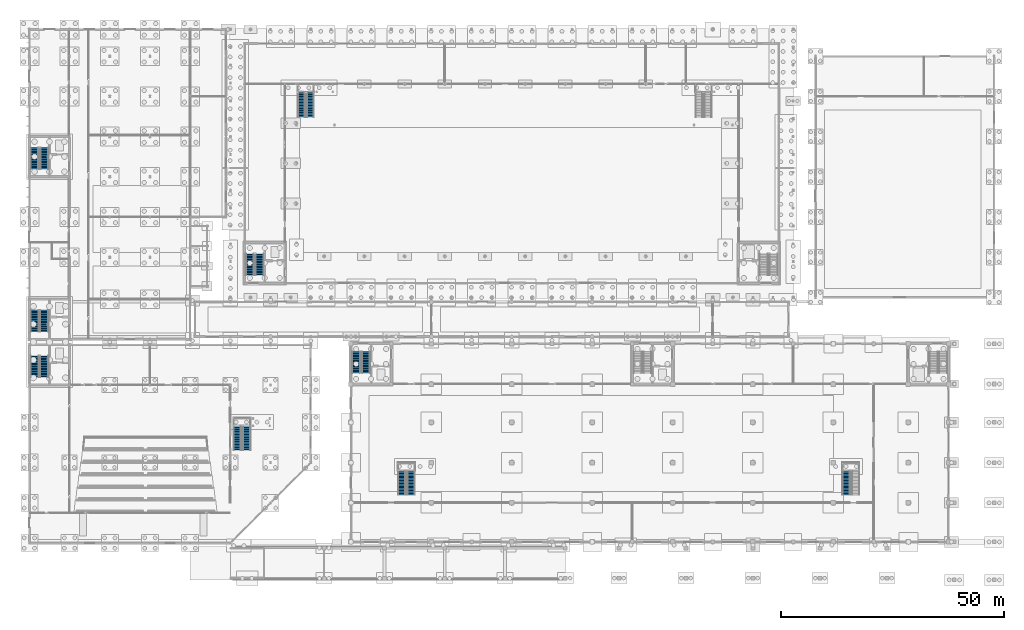
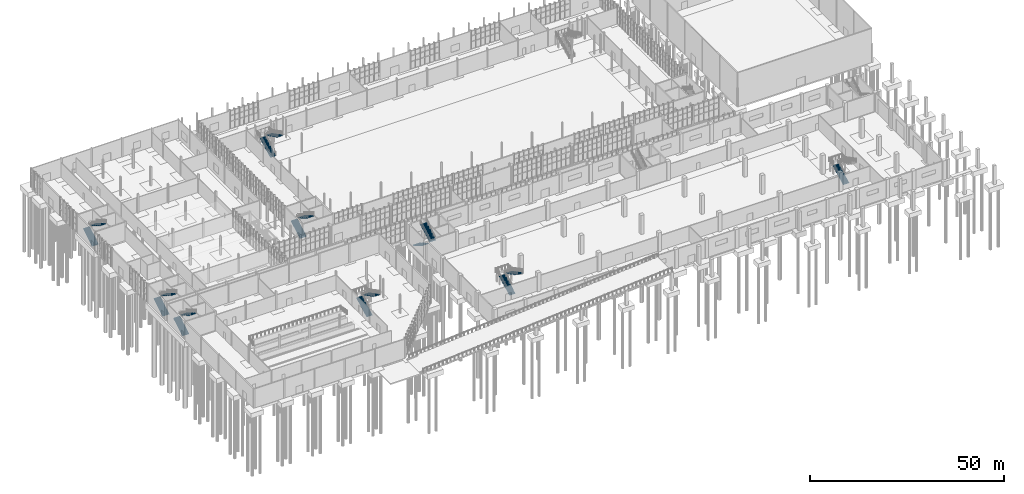
# One storey, part 108 of 131: 17 stair flights, 9 elements without a shape of their own.
"""IFC4 building model written with IfcOpenShell, lengths in metres."""

from ifc_helpers import new_model, si_unit, direction, frame, origin, place, context, subcontext, project, spatial, polyline, outline, extrude, material, type_object, element, aggregate, save


model = new_model("IFC4")

# Units and contexts
model_context = context("Model", 3, precision=1e-05, world=origin(), true_north=direction((0.0, 1.0)))
body_context = subcontext(model_context, "Body", "Model", "MODEL_VIEW")
ifc_project = project(units=[si_unit("LENGTHUNIT", "METRE"), si_unit("AREAUNIT", "SQUARE_METRE"), si_unit("VOLUMEUNIT", "CUBIC_METRE"), si_unit("PLANEANGLEUNIT", "RADIAN"), si_unit("MASSUNIT", "GRAM", prefix="KILO")], contexts=[model_context])

# Site, building, storey
site_placement = place(None, origin())
site = spatial("IfcSite", under=ifc_project, at=site_placement, CompositionType="ELEMENT")
building_placement = place(site_placement, origin())
building = spatial("IfcBuilding", under=site, at=building_placement, Name="Cazmaro Siding Exhibition Halls", CompositionType="ELEMENT")
storey_placement = place(building_placement, origin())
storey = spatial("IfcBuildingStorey", under=building, at=storey_placement, Name="L00", CompositionType="ELEMENT", Elevation=0.0)

# Stair, stair flights
ifc_material_1 = material(Name="Concrete f'c 40 MPa", Category="concrete")
stair_type_1 = type_object("IfcStairType", Name="STT-01", PredefinedType="TWO_STRAIGHT_RUN_STAIR", material=ifc_material_1)
stair_1_placement = place(storey_placement, origin())
stair_1 = element("IfcStair", 1, at=stair_1_placement, inside=storey, type_object=stair_type_1, Name="Core C1 Exit Stair L00-L01 ST-01", PredefinedType="TWO_STRAIGHT_RUN_STAIR")
ifc_material_2 = material(Name="Concrete f'c 40 MPa", Category="concrete")
stair_flight_type_1 = type_object("IfcStairFlightType", Name="STF-01", PredefinedType="STRAIGHT", material=ifc_material_2)
stair_flight_1_placement = place(storey_placement, frame((49.385009765625, 68.9599609375, 0.0), z_axis=(0.0, 0.0, 1.0), x_axis=(0.0, 1.0, 0.0)))
stair_flight_1 = element("IfcStairFlight", 2, at=stair_flight_1_placement, type_object=stair_flight_type_1, Name="ST-01 flight 1", NumberOfRisers=18, NumberOfTreads=17, PredefinedType="STRAIGHT", RiserHeight=0.16667, TreadLength=0.28, context=body_context, shape_type="SweptSolid", body=[
    extrude(outline(polyline([(0.0, 0.0), (0.0, 0.166748046875), (0.280029296875, 0.166748046875), (0.280029296875, 0.333251953125), (0.56005859375, 0.333251953125), (0.56005859375, 0.5), (0.840087890625, 0.5), (0.840087890625, 0.666748046875), (1.1201171875, 0.666748046875), (1.1201171875, 0.833251953125), (1.39990234375, 0.833251953125), (1.39990234375, 1.0), (1.679931640625, 1.0), (1.679931640625, 1.166748046875), (1.9599609375, 1.166748046875), (1.9599609375, 1.333251953125), (2.239990234375, 1.333251953125), (2.239990234375, 1.5), (2.52001953125, 1.5), (2.52001953125, 1.666748046875), (2.800048828125, 1.666748046875), (2.800048828125, 1.833251953125), (3.080078125, 1.833251953125), (3.080078125, 2.0), (3.360107421875, 2.0), (3.360107421875, 2.166748046875), (3.639892578125, 2.166748046875), (3.639892578125, 2.33349609375), (3.919921875, 2.33349609375), (3.919921875, 2.5), (4.199951171875, 2.5), (4.199951171875, 2.666748046875), (4.47998046875, 2.666748046875), (4.47998046875, 2.83349609375), (4.760009765625, 2.83349609375), (4.760009765625, 3.0), (4.760009765625, 2.647216796875), (0.312744140625, 0.0), (0.0, 0.0)])), frame((0.0, 0.9599609375, 0.0), z_axis=(0.0, -1.0, 0.0), x_axis=(1.0, 0.0, 0.0)), (0.0, 0.0, 1.0), 1.919921875),
])
stair_flight_2_placement = place(storey_placement, frame((51.570068359375, 73.719970703125, 3.0), z_axis=(0.0, 0.0, 1.0), x_axis=(0.0, -1.0, 0.0)))
stair_flight_2 = element("IfcStairFlight", 3, at=stair_flight_2_placement, type_object=stair_flight_type_1, Name="ST-01 flight 2", NumberOfRisers=18, NumberOfTreads=17, PredefinedType="STRAIGHT", RiserHeight=0.16667, TreadLength=0.28, context=body_context, shape_type="SweptSolid", body=[
    extrude(outline(polyline([(0.0, 0.0), (0.0, 0.166748046875), (0.280029296875, 0.166748046875), (0.280029296875, 0.333251953125), (0.56005859375, 0.333251953125), (0.56005859375, 0.5), (0.840087890625, 0.5), (0.840087890625, 0.666748046875), (1.1201171875, 0.666748046875), (1.1201171875, 0.833251953125), (1.39990234375, 0.833251953125), (1.39990234375, 1.0), (1.679931640625, 1.0), (1.679931640625, 1.166748046875), (1.9599609375, 1.166748046875), (1.9599609375, 1.333251953125), (2.239990234375, 1.333251953125), (2.239990234375, 1.5), (2.52001953125, 1.5), (2.52001953125, 1.666748046875), (2.800048828125, 1.666748046875), (2.800048828125, 1.833251953125), (3.080078125, 1.833251953125), (3.080078125, 2.0), (3.360107421875, 2.0), (3.360107421875, 2.166748046875), (3.639892578125, 2.166748046875), (3.639892578125, 2.33349609375), (3.919921875, 2.33349609375), (3.919921875, 2.5), (4.199951171875, 2.5), (4.199951171875, 2.666748046875), (4.47998046875, 2.666748046875), (4.47998046875, 2.83349609375), (4.760009765625, 2.83349609375), (4.760009765625, 3.0), (4.760009765625, 2.647216796875), (0.312744140625, 0.0), (0.0, 0.0)])), frame((0.0, 0.9599609375, 0.0), z_axis=(0.0, -1.0, 0.0), x_axis=(1.0, 0.0, 0.0)), (0.0, 0.0, 1.0), 1.919921875),
])
aggregate(stair_1, [stair_flight_1, stair_flight_2])

ifc_material_3 = material(Name="Concrete f'c 40 MPa", Category="concrete")
stair_type_2 = type_object("IfcStairType", Name="STT-05", PredefinedType="TWO_STRAIGHT_RUN_STAIR", material=ifc_material_3)
stair_2_placement = place(storey_placement, origin())
stair_2 = element("IfcStair", 4, at=stair_2_placement, inside=storey, type_object=stair_type_2, Name="Core C3 Exit Stair L00-L01 ST-05", PredefinedType="TWO_STRAIGHT_RUN_STAIR")
ifc_material_4 = material(Name="Concrete f'c 40 MPa", Category="concrete")
stair_flight_type_2 = type_object("IfcStairFlightType", Name="STF-05", PredefinedType="STRAIGHT", material=ifc_material_4)
stair_flight_3_placement = place(storey_placement, frame((73.175048828125, 51.840087890625, 0.0), z_axis=(0.0, 0.0, 1.0), x_axis=(0.0, -1.0, 0.0)))
stair_flight_3 = element("IfcStairFlight", 5, at=stair_flight_3_placement, type_object=stair_flight_type_2, Name="ST-05 flight 1", NumberOfRisers=18, NumberOfTreads=17, PredefinedType="STRAIGHT", RiserHeight=0.16667, TreadLength=0.28, context=body_context, shape_type="SweptSolid", body=[
    extrude(outline(polyline([(0.0, 0.0), (0.0, 0.166748046875), (0.280029296875, 0.166748046875), (0.280029296875, 0.333251953125), (0.56005859375, 0.333251953125), (0.56005859375, 0.5), (0.840087890625, 0.5), (0.840087890625, 0.666748046875), (1.1201171875, 0.666748046875), (1.1201171875, 0.833251953125), (1.39990234375, 0.833251953125), (1.39990234375, 1.0), (1.679931640625, 1.0), (1.679931640625, 1.166748046875), (1.9599609375, 1.166748046875), (1.9599609375, 1.333251953125), (2.239990234375, 1.333251953125), (2.239990234375, 1.5), (2.52001953125, 1.5), (2.52001953125, 1.666748046875), (2.800048828125, 1.666748046875), (2.800048828125, 1.833251953125), (3.080078125, 1.833251953125), (3.080078125, 2.0), (3.360107421875, 2.0), (3.360107421875, 2.166748046875), (3.639892578125, 2.166748046875), (3.639892578125, 2.33349609375), (3.919921875, 2.33349609375), (3.919921875, 2.5), (4.199951171875, 2.5), (4.199951171875, 2.666748046875), (4.47998046875, 2.666748046875), (4.47998046875, 2.83349609375), (4.760009765625, 2.83349609375), (4.760009765625, 3.0), (4.760009765625, 2.647216796875), (0.312744140625, 0.0), (0.0, 0.0)])), frame((0.0, 0.949951171875, 0.0), z_axis=(0.0, -1.0, 0.0), x_axis=(1.0, 0.0, 0.0)), (0.0, 0.0, 1.0), 1.89990234375),
])
stair_flight_4_placement = place(storey_placement, frame((75.3798828125, 47.080078125, 3.0), z_axis=(0.0, 0.0, 1.0), x_axis=(0.0, 1.0, 0.0)))
stair_flight_4 = element("IfcStairFlight", 6, at=stair_flight_4_placement, type_object=stair_flight_type_2, Name="ST-05 flight 2", NumberOfRisers=18, NumberOfTreads=17, PredefinedType="STRAIGHT", RiserHeight=0.16667, TreadLength=0.28, context=body_context, shape_type="SweptSolid", body=[
    extrude(outline(polyline([(0.0, 0.0), (0.0, 0.166748046875), (0.280029296875, 0.166748046875), (0.280029296875, 0.333251953125), (0.56005859375, 0.333251953125), (0.56005859375, 0.5), (0.840087890625, 0.5), (0.840087890625, 0.666748046875), (1.1201171875, 0.666748046875), (1.1201171875, 0.833251953125), (1.39990234375, 0.833251953125), (1.39990234375, 1.0), (1.679931640625, 1.0), (1.679931640625, 1.166748046875), (1.9599609375, 1.166748046875), (1.9599609375, 1.333251953125), (2.239990234375, 1.333251953125), (2.239990234375, 1.5), (2.52001953125, 1.5), (2.52001953125, 1.666748046875), (2.800048828125, 1.666748046875), (2.800048828125, 1.833251953125), (3.080078125, 1.833251953125), (3.080078125, 2.0), (3.360107421875, 2.0), (3.360107421875, 2.166748046875), (3.639892578125, 2.166748046875), (3.639892578125, 2.33349609375), (3.919921875, 2.33349609375), (3.919921875, 2.5), (4.199951171875, 2.5), (4.199951171875, 2.666748046875), (4.47998046875, 2.666748046875), (4.47998046875, 2.83349609375), (4.760009765625, 2.83349609375), (4.760009765625, 3.0), (4.760009765625, 2.647216796875), (0.312744140625, 0.0), (0.0, 0.0)])), frame((0.0, 0.949951171875, 0.0), z_axis=(0.0, -1.0, 0.0), x_axis=(1.0, 0.0, 0.0)), (0.0, 0.0, 1.0), 1.89990234375),
])
aggregate(stair_2, [stair_flight_3, stair_flight_4])

ifc_material_5 = material(Name="Concrete f'c 40 MPa", Category="concrete")
stair_type_3 = type_object("IfcStairType", Name="STT-11", PredefinedType="TWO_STRAIGHT_RUN_STAIR", material=ifc_material_5)
stair_3_placement = place(storey_placement, origin())
stair_3 = element("IfcStair", 7, at=stair_3_placement, inside=storey, type_object=stair_type_3, Name="Core C6 Exit Stair L00-L01 ST-11", PredefinedType="TWO_STRAIGHT_RUN_STAIR")
ifc_material_6 = material(Name="Concrete f'c 40 MPa", Category="concrete")
stair_flight_type_3 = type_object("IfcStairFlightType", Name="STF-11", PredefinedType="STRAIGHT", material=ifc_material_6)
stair_flight_5_placement = place(storey_placement, frame((1.199951171875, 46.159912109375, 0.0), z_axis=(0.0, 0.0, 1.0), x_axis=(0.0, 1.0, 0.0)))
stair_flight_5 = element("IfcStairFlight", 8, at=stair_flight_5_placement, type_object=stair_flight_type_3, Name="ST-11 flight 1", NumberOfRisers=18, NumberOfTreads=17, PredefinedType="STRAIGHT", RiserHeight=0.16667, TreadLength=0.28, context=body_context, shape_type="SweptSolid", body=[
    extrude(outline(polyline([(0.0, 0.0), (0.0, 0.166748046875), (0.280029296875, 0.166748046875), (0.280029296875, 0.333251953125), (0.56005859375, 0.333251953125), (0.56005859375, 0.5), (0.840087890625, 0.5), (0.840087890625, 0.666748046875), (1.1201171875, 0.666748046875), (1.1201171875, 0.833251953125), (1.39990234375, 0.833251953125), (1.39990234375, 1.0), (1.679931640625, 1.0), (1.679931640625, 1.166748046875), (1.9599609375, 1.166748046875), (1.9599609375, 1.333251953125), (2.239990234375, 1.333251953125), (2.239990234375, 1.5), (2.52001953125, 1.5), (2.52001953125, 1.666748046875), (2.800048828125, 1.666748046875), (2.800048828125, 1.833251953125), (3.080078125, 1.833251953125), (3.080078125, 2.0), (3.360107421875, 2.0), (3.360107421875, 2.166748046875), (3.639892578125, 2.166748046875), (3.639892578125, 2.33349609375), (3.919921875, 2.33349609375), (3.919921875, 2.5), (4.199951171875, 2.5), (4.199951171875, 2.666748046875), (4.47998046875, 2.666748046875), (4.47998046875, 2.83349609375), (4.760009765625, 2.83349609375), (4.760009765625, 3.0), (4.760009765625, 2.647216796875), (0.312744140625, 0.0), (0.0, 0.0)])), frame((0.0, 0.97509765625, 0.0), z_axis=(0.0, -1.0, 0.0), x_axis=(1.0, 0.0, 0.0)), (0.0, 0.0, 1.0), 1.949951171875),
])
stair_flight_6_placement = place(storey_placement, frame((3.35498046875, 50.919921875, 3.0), z_axis=(0.0, 0.0, 1.0), x_axis=(0.0, -1.0, 0.0)))
stair_flight_6 = element("IfcStairFlight", 9, at=stair_flight_6_placement, type_object=stair_flight_type_3, Name="ST-11 flight 2", NumberOfRisers=18, NumberOfTreads=17, PredefinedType="STRAIGHT", RiserHeight=0.16667, TreadLength=0.28, context=body_context, shape_type="SweptSolid", body=[
    extrude(outline(polyline([(0.0, 0.0), (0.0, 0.166748046875), (0.280029296875, 0.166748046875), (0.280029296875, 0.333251953125), (0.56005859375, 0.333251953125), (0.56005859375, 0.5), (0.840087890625, 0.5), (0.840087890625, 0.666748046875), (1.1201171875, 0.666748046875), (1.1201171875, 0.833251953125), (1.39990234375, 0.833251953125), (1.39990234375, 1.0), (1.679931640625, 1.0), (1.679931640625, 1.166748046875), (1.9599609375, 1.166748046875), (1.9599609375, 1.333251953125), (2.239990234375, 1.333251953125), (2.239990234375, 1.5), (2.52001953125, 1.5), (2.52001953125, 1.666748046875), (2.800048828125, 1.666748046875), (2.800048828125, 1.833251953125), (3.080078125, 1.833251953125), (3.080078125, 2.0), (3.360107421875, 2.0), (3.360107421875, 2.166748046875), (3.639892578125, 2.166748046875), (3.639892578125, 2.33349609375), (3.919921875, 2.33349609375), (3.919921875, 2.5), (4.199951171875, 2.5), (4.199951171875, 2.666748046875), (4.47998046875, 2.666748046875), (4.47998046875, 2.83349609375), (4.760009765625, 2.83349609375), (4.760009765625, 3.0), (4.760009765625, 2.647216796875), (0.312744140625, 0.0), (0.0, 0.0)])), frame((0.0, 0.97509765625, 0.0), z_axis=(0.0, -1.0, 0.0), x_axis=(1.0, 0.0, 0.0)), (0.0, 0.0, 1.0), 1.949951171875),
])
aggregate(stair_3, [stair_flight_5, stair_flight_6])

ifc_material_7 = material(Name="Concrete f'c 40 MPa", Category="concrete")
stair_type_4 = type_object("IfcStairType", Name="STT-13", PredefinedType="TWO_STRAIGHT_RUN_STAIR", material=ifc_material_7)
stair_4_placement = place(storey_placement, origin())
stair_4 = element("IfcStair", 10, at=stair_4_placement, inside=storey, type_object=stair_type_4, Name="Core C7 Exit Stair L00-L01 ST-13", PredefinedType="TWO_STRAIGHT_RUN_STAIR")
ifc_material_8 = material(Name="Concrete f'c 40 MPa", Category="concrete")
stair_flight_type_4 = type_object("IfcStairFlightType", Name="STF-13", PredefinedType="STRAIGHT", material=ifc_material_8)
stair_flight_7_placement = place(storey_placement, frame((1.205078125, 56.360107421875, 0.0), z_axis=(0.0, 0.0, 1.0), x_axis=(0.0, 1.0, 0.0)))
stair_flight_7 = element("IfcStairFlight", 11, at=stair_flight_7_placement, type_object=stair_flight_type_4, Name="ST-13 flight 1", NumberOfRisers=18, NumberOfTreads=17, PredefinedType="STRAIGHT", RiserHeight=0.16667, TreadLength=0.28, context=body_context, shape_type="SweptSolid", body=[
    extrude(outline(polyline([(0.0, 0.0), (0.0, 0.166748046875), (0.280029296875, 0.166748046875), (0.280029296875, 0.333251953125), (0.56005859375, 0.333251953125), (0.56005859375, 0.5), (0.840087890625, 0.5), (0.840087890625, 0.666748046875), (1.1201171875, 0.666748046875), (1.1201171875, 0.833251953125), (1.39990234375, 0.833251953125), (1.39990234375, 1.0), (1.679931640625, 1.0), (1.679931640625, 1.166748046875), (1.9599609375, 1.166748046875), (1.9599609375, 1.333251953125), (2.239990234375, 1.333251953125), (2.239990234375, 1.5), (2.52001953125, 1.5), (2.52001953125, 1.666748046875), (2.800048828125, 1.666748046875), (2.800048828125, 1.833251953125), (3.080078125, 1.833251953125), (3.080078125, 2.0), (3.360107421875, 2.0), (3.360107421875, 2.166748046875), (3.639892578125, 2.166748046875), (3.639892578125, 2.33349609375), (3.919921875, 2.33349609375), (3.919921875, 2.5), (4.199951171875, 2.5), (4.199951171875, 2.666748046875), (4.47998046875, 2.666748046875), (4.47998046875, 2.83349609375), (4.760009765625, 2.83349609375), (4.760009765625, 3.0), (4.760009765625, 2.647216796875), (0.312744140625, 0.0), (0.0, 0.0)])), frame((0.0, 0.97998046875, 0.0), z_axis=(0.0, -1.0, 0.0), x_axis=(1.0, 0.0, 0.0)), (0.0, 0.0, 1.0), 1.9599609375),
])
stair_flight_8_placement = place(storey_placement, frame((3.35009765625, 61.1201171875, 3.0), z_axis=(0.0, 0.0, 1.0), x_axis=(0.0, -1.0, 0.0)))
stair_flight_8 = element("IfcStairFlight", 12, at=stair_flight_8_placement, type_object=stair_flight_type_4, Name="ST-13 flight 2", NumberOfRisers=18, NumberOfTreads=17, PredefinedType="STRAIGHT", RiserHeight=0.16667, TreadLength=0.28, context=body_context, shape_type="SweptSolid", body=[
    extrude(outline(polyline([(0.0, 0.0), (0.0, 0.166748046875), (0.280029296875, 0.166748046875), (0.280029296875, 0.333251953125), (0.56005859375, 0.333251953125), (0.56005859375, 0.5), (0.840087890625, 0.5), (0.840087890625, 0.666748046875), (1.1201171875, 0.666748046875), (1.1201171875, 0.833251953125), (1.39990234375, 0.833251953125), (1.39990234375, 1.0), (1.679931640625, 1.0), (1.679931640625, 1.166748046875), (1.9599609375, 1.166748046875), (1.9599609375, 1.333251953125), (2.239990234375, 1.333251953125), (2.239990234375, 1.5), (2.52001953125, 1.5), (2.52001953125, 1.666748046875), (2.800048828125, 1.666748046875), (2.800048828125, 1.833251953125), (3.080078125, 1.833251953125), (3.080078125, 2.0), (3.360107421875, 2.0), (3.360107421875, 2.166748046875), (3.639892578125, 2.166748046875), (3.639892578125, 2.33349609375), (3.919921875, 2.33349609375), (3.919921875, 2.5), (4.199951171875, 2.5), (4.199951171875, 2.666748046875), (4.47998046875, 2.666748046875), (4.47998046875, 2.83349609375), (4.760009765625, 2.83349609375), (4.760009765625, 3.0), (4.760009765625, 2.647216796875), (0.312744140625, 0.0), (0.0, 0.0)])), frame((0.0, 0.97998046875, 0.0), z_axis=(0.0, -1.0, 0.0), x_axis=(1.0, 0.0, 0.0)), (0.0, 0.0, 1.0), 1.9599609375),
])
aggregate(stair_4, [stair_flight_7, stair_flight_8])

ifc_material_9 = material(Name="Concrete f'c 40 MPa", Category="concrete")
stair_type_5 = type_object("IfcStairType", Name="STT-18", PredefinedType="TWO_STRAIGHT_RUN_STAIR", material=ifc_material_9)
stair_5_placement = place(storey_placement, origin())
stair_5 = element("IfcStair", 13, at=stair_5_placement, inside=storey, type_object=stair_type_5, Name="Core C8 Exit Stair L00-L01 ST-18", PredefinedType="TWO_STRAIGHT_RUN_STAIR")
ifc_material_10 = material(Name="Concrete f'c 40 MPa", Category="concrete")
stair_flight_type_5 = type_object("IfcStairFlightType", Name="STF-18", PredefinedType="STRAIGHT", material=ifc_material_10)
stair_flight_9_placement = place(storey_placement, frame((1.169921875, 92.760009765625, 0.0), z_axis=(0.0, 0.0, 1.0), x_axis=(0.0, 1.0, 0.0)))
stair_flight_9 = element("IfcStairFlight", 14, at=stair_flight_9_placement, type_object=stair_flight_type_5, Name="ST-18 flight 1", NumberOfRisers=18, NumberOfTreads=17, PredefinedType="STRAIGHT", RiserHeight=0.16667, TreadLength=0.28, context=body_context, shape_type="SweptSolid", body=[
    extrude(outline(polyline([(0.0, 0.0), (0.0, 0.166748046875), (0.280029296875, 0.166748046875), (0.280029296875, 0.333251953125), (0.56005859375, 0.333251953125), (0.56005859375, 0.5), (0.840087890625, 0.5), (0.840087890625, 0.666748046875), (1.1201171875, 0.666748046875), (1.1201171875, 0.833251953125), (1.39990234375, 0.833251953125), (1.39990234375, 1.0), (1.679931640625, 1.0), (1.679931640625, 1.166748046875), (1.9599609375, 1.166748046875), (1.9599609375, 1.333251953125), (2.239990234375, 1.333251953125), (2.239990234375, 1.5), (2.52001953125, 1.5), (2.52001953125, 1.666748046875), (2.800048828125, 1.666748046875), (2.800048828125, 1.833251953125), (3.080078125, 1.833251953125), (3.080078125, 2.0), (3.360107421875, 2.0), (3.360107421875, 2.166748046875), (3.639892578125, 2.166748046875), (3.639892578125, 2.33349609375), (3.919921875, 2.33349609375), (3.919921875, 2.5), (4.199951171875, 2.5), (4.199951171875, 2.666748046875), (4.47998046875, 2.666748046875), (4.47998046875, 2.83349609375), (4.760009765625, 2.83349609375), (4.760009765625, 3.0), (4.760009765625, 2.647216796875), (0.312744140625, 0.0), (0.0, 0.0)])), frame((0.0, 0.94482421875, 0.0), z_axis=(0.0, -1.0, 0.0), x_axis=(1.0, 0.0, 0.0)), (0.0, 0.0, 1.0), 1.889892578125),
])
stair_flight_10_placement = place(storey_placement, frame((3.385009765625, 97.52001953125, 3.0), z_axis=(0.0, 0.0, 1.0), x_axis=(0.0, -1.0, 0.0)))
stair_flight_10 = element("IfcStairFlight", 15, at=stair_flight_10_placement, type_object=stair_flight_type_5, Name="ST-18 flight 2", NumberOfRisers=18, NumberOfTreads=17, PredefinedType="STRAIGHT", RiserHeight=0.16667, TreadLength=0.28, context=body_context, shape_type="SweptSolid", body=[
    extrude(outline(polyline([(0.0, 0.0), (0.0, 0.166748046875), (0.280029296875, 0.166748046875), (0.280029296875, 0.333251953125), (0.56005859375, 0.333251953125), (0.56005859375, 0.5), (0.840087890625, 0.5), (0.840087890625, 0.666748046875), (1.1201171875, 0.666748046875), (1.1201171875, 0.833251953125), (1.39990234375, 0.833251953125), (1.39990234375, 1.0), (1.679931640625, 1.0), (1.679931640625, 1.166748046875), (1.9599609375, 1.166748046875), (1.9599609375, 1.333251953125), (2.239990234375, 1.333251953125), (2.239990234375, 1.5), (2.52001953125, 1.5), (2.52001953125, 1.666748046875), (2.800048828125, 1.666748046875), (2.800048828125, 1.833251953125), (3.080078125, 1.833251953125), (3.080078125, 2.0), (3.360107421875, 2.0), (3.360107421875, 2.166748046875), (3.639892578125, 2.166748046875), (3.639892578125, 2.33349609375), (3.919921875, 2.33349609375), (3.919921875, 2.5), (4.199951171875, 2.5), (4.199951171875, 2.666748046875), (4.47998046875, 2.666748046875), (4.47998046875, 2.83349609375), (4.760009765625, 2.83349609375), (4.760009765625, 3.0), (4.760009765625, 2.647216796875), (0.312744140625, 0.0), (0.0, 0.0)])), frame((0.0, 0.94482421875, 0.0), z_axis=(0.0, -1.0, 0.0), x_axis=(1.0, 0.0, 0.0)), (0.0, 0.0, 1.0), 1.889892578125),
])
aggregate(stair_5, [stair_flight_9, stair_flight_10])

ifc_material_11 = material(Name="Steel ASTM A992 Grade 50 Stringers with Precast Treads", Category="concrete")
stair_type_6 = type_object("IfcStairType", Name="STT-22", PredefinedType="TWO_STRAIGHT_RUN_STAIR", material=ifc_material_11)
stair_6_placement = place(storey_placement, origin())
stair_6 = element("IfcStair", 16, at=stair_6_placement, inside=storey, type_object=stair_type_6, Name="Hall A West Feature Gallery Stair L00-L01 ST-22", PredefinedType="TWO_STRAIGHT_RUN_STAIR")
ifc_material_12 = material(Name="Precast Concrete Treads f'c 40 MPa on Steel Stringers", Category="concrete")
stair_flight_type_6 = type_object("IfcStairFlightType", Name="STF-22", PredefinedType="STRAIGHT", material=ifc_material_12)
stair_flight_11_placement = place(storey_placement, frame((60.8798828125, 104.3798828125, 0.0), z_axis=(0.0, 0.0, 1.0), x_axis=(0.0, 1.0, 0.0)))
stair_flight_11 = element("IfcStairFlight", 17, at=stair_flight_11_placement, type_object=stair_flight_type_6, Name="ST-22 flight 1", NumberOfRisers=18, NumberOfTreads=17, PredefinedType="STRAIGHT", RiserHeight=0.16667, TreadLength=0.325, context=body_context, shape_type="SweptSolid", body=[
    extrude(outline(polyline([(0.0, 0.0), (0.0, 0.166748046875), (0.324951171875, 0.166748046875), (0.324951171875, 0.333251953125), (0.64990234375, 0.333251953125), (0.64990234375, 0.5), (0.97509765625, 0.5), (0.97509765625, 0.666748046875), (1.300048828125, 0.666748046875), (1.300048828125, 0.833251953125), (1.625, 0.833251953125), (1.625, 1.0), (1.949951171875, 1.0), (1.949951171875, 1.166748046875), (2.27490234375, 1.166748046875), (2.27490234375, 1.333251953125), (2.60009765625, 1.333251953125), (2.60009765625, 1.5), (2.925048828125, 1.5), (2.925048828125, 1.666748046875), (3.25, 1.666748046875), (3.25, 1.833251953125), (3.574951171875, 1.833251953125), (3.574951171875, 2.0), (3.89990234375, 2.0), (3.89990234375, 2.166748046875), (4.22509765625, 2.166748046875), (4.22509765625, 2.33349609375), (4.550048828125, 2.33349609375), (4.550048828125, 2.5), (4.875, 2.5), (4.875, 2.666748046875), (5.199951171875, 2.666748046875), (5.199951171875, 2.83349609375), (5.52490234375, 2.83349609375), (5.52490234375, 3.0), (5.52490234375, 2.653564453125), (0.350341796875, 0.0), (0.0, 0.0)])), frame((0.0, 0.81494140625, 0.0), z_axis=(0.0, -1.0, 0.0), x_axis=(1.0, 0.0, 0.0)), (0.0, 0.0, 1.0), 1.6298828125),
])
stair_flight_12_placement = place(storey_placement, frame((62.89990234375, 109.905029296875, 3.0), z_axis=(0.0, 0.0, 1.0), x_axis=(0.0, -1.0, 0.0)))
stair_flight_12 = element("IfcStairFlight", 18, at=stair_flight_12_placement, type_object=stair_flight_type_6, Name="ST-22 flight 2", NumberOfRisers=18, NumberOfTreads=17, PredefinedType="STRAIGHT", RiserHeight=0.16667, TreadLength=0.325, context=body_context, shape_type="SweptSolid", body=[
    extrude(outline(polyline([(0.0, 0.0), (0.0, 0.166748046875), (0.324951171875, 0.166748046875), (0.324951171875, 0.333251953125), (0.64990234375, 0.333251953125), (0.64990234375, 0.5), (0.97509765625, 0.5), (0.97509765625, 0.666748046875), (1.300048828125, 0.666748046875), (1.300048828125, 0.833251953125), (1.625, 0.833251953125), (1.625, 1.0), (1.949951171875, 1.0), (1.949951171875, 1.166748046875), (2.27490234375, 1.166748046875), (2.27490234375, 1.333251953125), (2.60009765625, 1.333251953125), (2.60009765625, 1.5), (2.925048828125, 1.5), (2.925048828125, 1.666748046875), (3.25, 1.666748046875), (3.25, 1.833251953125), (3.574951171875, 1.833251953125), (3.574951171875, 2.0), (3.89990234375, 2.0), (3.89990234375, 2.166748046875), (4.22509765625, 2.166748046875), (4.22509765625, 2.33349609375), (4.550048828125, 2.33349609375), (4.550048828125, 2.5), (4.875, 2.5), (4.875, 2.666748046875), (5.199951171875, 2.666748046875), (5.199951171875, 2.83349609375), (5.52490234375, 2.83349609375), (5.52490234375, 3.0), (5.52490234375, 2.653564453125), (0.350341796875, 0.0), (0.0, 0.0)])), frame((0.0, 0.81494140625, 0.0), z_axis=(0.0, -1.0, 0.0), x_axis=(1.0, 0.0, 0.0)), (0.0, 0.0, 1.0), 1.6298828125),
])
aggregate(stair_6, [stair_flight_11, stair_flight_12])

ifc_material_13 = material(Name="Steel ASTM A992 Grade 50 Stringers with Precast Treads", Category="concrete")
stair_type_7 = type_object("IfcStairType", Name="STT-26", PredefinedType="TWO_STRAIGHT_RUN_STAIR", material=ifc_material_13)
stair_7_placement = place(storey_placement, origin())
stair_7 = element("IfcStair", 19, at=stair_7_placement, inside=storey, type_object=stair_type_7, Name="Congress Foyer Grand Stair L00-L01 ST-26", PredefinedType="TWO_STRAIGHT_RUN_STAIR")
ifc_material_14 = material(Name="Precast Concrete Treads f'c 40 MPa on Steel Stringers", Category="concrete")
stair_flight_type_7 = type_object("IfcStairFlightType", Name="STF-26", PredefinedType="STRAIGHT", material=ifc_material_14)
stair_flight_13_placement = place(storey_placement, frame((46.56005859375, 29.780029296875, 0.0), z_axis=(0.0, 0.0, 1.0), x_axis=(0.0, 1.0, 0.0)))
stair_flight_13 = element("IfcStairFlight", 20, at=stair_flight_13_placement, type_object=stair_flight_type_7, Name="ST-26 flight 1", NumberOfRisers=18, NumberOfTreads=17, PredefinedType="STRAIGHT", RiserHeight=0.16667, TreadLength=0.32, context=body_context, shape_type="SweptSolid", body=[
    extrude(outline(polyline([(0.0, 0.0), (0.0, 0.166748046875), (0.320068359375, 0.166748046875), (0.320068359375, 0.333251953125), (0.639892578125, 0.333251953125), (0.639892578125, 0.5), (0.9599609375, 0.5), (0.9599609375, 0.666748046875), (1.280029296875, 0.666748046875), (1.280029296875, 0.833251953125), (1.60009765625, 0.833251953125), (1.60009765625, 1.0), (1.919921875, 1.0), (1.919921875, 1.166748046875), (2.239990234375, 1.166748046875), (2.239990234375, 1.333251953125), (2.56005859375, 1.333251953125), (2.56005859375, 1.5), (2.8798828125, 1.5), (2.8798828125, 1.666748046875), (3.199951171875, 1.666748046875), (3.199951171875, 1.833251953125), (3.52001953125, 1.833251953125), (3.52001953125, 2.0), (3.840087890625, 2.0), (3.840087890625, 2.166748046875), (4.159912109375, 2.166748046875), (4.159912109375, 2.33349609375), (4.47998046875, 2.33349609375), (4.47998046875, 2.5), (4.800048828125, 2.5), (4.800048828125, 2.666748046875), (5.1201171875, 2.666748046875), (5.1201171875, 2.83349609375), (5.43994140625, 2.83349609375), (5.43994140625, 3.0), (5.43994140625, 2.653076171875), (0.34619140625, 0.0), (0.0, 0.0)])), frame((0.0, 0.85498046875, 0.0), z_axis=(0.0, -1.0, 0.0), x_axis=(1.0, 0.0, 0.0)), (0.0, 0.0, 1.0), 1.7099609375),
])
stair_flight_14_placement = place(storey_placement, frame((48.68994140625, 35.219970703125, 3.0), z_axis=(0.0, 0.0, 1.0), x_axis=(0.0, -1.0, 0.0)))
stair_flight_14 = element("IfcStairFlight", 21, at=stair_flight_14_placement, type_object=stair_flight_type_7, Name="ST-26 flight 2", NumberOfRisers=18, NumberOfTreads=17, PredefinedType="STRAIGHT", RiserHeight=0.16667, TreadLength=0.32, context=body_context, shape_type="SweptSolid", body=[
    extrude(outline(polyline([(0.0, 0.0), (0.0, 0.166748046875), (0.320068359375, 0.166748046875), (0.320068359375, 0.333251953125), (0.639892578125, 0.333251953125), (0.639892578125, 0.5), (0.9599609375, 0.5), (0.9599609375, 0.666748046875), (1.280029296875, 0.666748046875), (1.280029296875, 0.833251953125), (1.60009765625, 0.833251953125), (1.60009765625, 1.0), (1.919921875, 1.0), (1.919921875, 1.166748046875), (2.239990234375, 1.166748046875), (2.239990234375, 1.333251953125), (2.56005859375, 1.333251953125), (2.56005859375, 1.5), (2.8798828125, 1.5), (2.8798828125, 1.666748046875), (3.199951171875, 1.666748046875), (3.199951171875, 1.833251953125), (3.52001953125, 1.833251953125), (3.52001953125, 2.0), (3.840087890625, 2.0), (3.840087890625, 2.166748046875), (4.159912109375, 2.166748046875), (4.159912109375, 2.33349609375), (4.47998046875, 2.33349609375), (4.47998046875, 2.5), (4.800048828125, 2.5), (4.800048828125, 2.666748046875), (5.1201171875, 2.666748046875), (5.1201171875, 2.83349609375), (5.43994140625, 2.83349609375), (5.43994140625, 3.0), (5.43994140625, 2.653076171875), (0.34619140625, 0.0), (0.0, 0.0)])), frame((0.0, 0.85498046875, 0.0), z_axis=(0.0, -1.0, 0.0), x_axis=(1.0, 0.0, 0.0)), (0.0, 0.0, 1.0), 1.7099609375),
])
aggregate(stair_7, [stair_flight_13, stair_flight_14])

ifc_material_15 = material(Name="Steel ASTM A992 Grade 50 Stringers with Precast Treads", Category="concrete")
stair_type_8 = type_object("IfcStairType", Name="STT-28", PredefinedType="TWO_STRAIGHT_RUN_STAIR", material=ifc_material_15)
stair_8_placement = place(storey_placement, origin())
stair_8 = element("IfcStair", 22, at=stair_8_placement, inside=storey, type_object=stair_type_8, Name="Hall B1 West Mezzanine Feature Stair ST-28", PredefinedType="TWO_STRAIGHT_RUN_STAIR")
ifc_material_16 = material(Name="Precast Concrete Treads f'c 40 MPa on Steel Stringers", Category="concrete")
stair_flight_type_8 = type_object("IfcStairFlightType", Name="STF-28", PredefinedType="STRAIGHT", material=ifc_material_16)
stair_flight_15_placement = place(storey_placement, frame((83.3701171875, 19.780029296875, 0.0), z_axis=(0.0, 0.0, 1.0), x_axis=(0.0, 1.0, 0.0)))
stair_flight_15 = element("IfcStairFlight", 23, at=stair_flight_15_placement, type_object=stair_flight_type_8, Name="ST-28 flight 1", NumberOfRisers=18, NumberOfTreads=17, PredefinedType="STRAIGHT", RiserHeight=0.16667, TreadLength=0.32, context=body_context, shape_type="SweptSolid", body=[
    extrude(outline(polyline([(0.0, 0.0), (0.0, 0.166748046875), (0.320068359375, 0.166748046875), (0.320068359375, 0.333251953125), (0.639892578125, 0.333251953125), (0.639892578125, 0.5), (0.9599609375, 0.5), (0.9599609375, 0.666748046875), (1.280029296875, 0.666748046875), (1.280029296875, 0.833251953125), (1.60009765625, 0.833251953125), (1.60009765625, 1.0), (1.919921875, 1.0), (1.919921875, 1.166748046875), (2.239990234375, 1.166748046875), (2.239990234375, 1.333251953125), (2.56005859375, 1.333251953125), (2.56005859375, 1.5), (2.8798828125, 1.5), (2.8798828125, 1.666748046875), (3.199951171875, 1.666748046875), (3.199951171875, 1.833251953125), (3.52001953125, 1.833251953125), (3.52001953125, 2.0), (3.840087890625, 2.0), (3.840087890625, 2.166748046875), (4.159912109375, 2.166748046875), (4.159912109375, 2.33349609375), (4.47998046875, 2.33349609375), (4.47998046875, 2.5), (4.800048828125, 2.5), (4.800048828125, 2.666748046875), (5.1201171875, 2.666748046875), (5.1201171875, 2.83349609375), (5.43994140625, 2.83349609375), (5.43994140625, 3.0), (5.43994140625, 2.653076171875), (0.34619140625, 0.0), (0.0, 0.0)])), frame((0.0, 0.864990234375, 0.0), z_axis=(0.0, -1.0, 0.0), x_axis=(1.0, 0.0, 0.0)), (0.0, 0.0, 1.0), 1.72998046875),
])
stair_flight_16_placement = place(storey_placement, frame((85.47998046875, 25.219970703125, 3.0), z_axis=(0.0, 0.0, 1.0), x_axis=(0.0, -1.0, 0.0)))
stair_flight_16 = element("IfcStairFlight", 24, at=stair_flight_16_placement, type_object=stair_flight_type_8, Name="ST-28 flight 2", NumberOfRisers=18, NumberOfTreads=17, PredefinedType="STRAIGHT", RiserHeight=0.16667, TreadLength=0.32, context=body_context, shape_type="SweptSolid", body=[
    extrude(outline(polyline([(0.0, 0.0), (0.0, 0.166748046875), (0.320068359375, 0.166748046875), (0.320068359375, 0.333251953125), (0.639892578125, 0.333251953125), (0.639892578125, 0.5), (0.9599609375, 0.5), (0.9599609375, 0.666748046875), (1.280029296875, 0.666748046875), (1.280029296875, 0.833251953125), (1.60009765625, 0.833251953125), (1.60009765625, 1.0), (1.919921875, 1.0), (1.919921875, 1.166748046875), (2.239990234375, 1.166748046875), (2.239990234375, 1.333251953125), (2.56005859375, 1.333251953125), (2.56005859375, 1.5), (2.8798828125, 1.5), (2.8798828125, 1.666748046875), (3.199951171875, 1.666748046875), (3.199951171875, 1.833251953125), (3.52001953125, 1.833251953125), (3.52001953125, 2.0), (3.840087890625, 2.0), (3.840087890625, 2.166748046875), (4.159912109375, 2.166748046875), (4.159912109375, 2.33349609375), (4.47998046875, 2.33349609375), (4.47998046875, 2.5), (4.800048828125, 2.5), (4.800048828125, 2.666748046875), (5.1201171875, 2.666748046875), (5.1201171875, 2.83349609375), (5.43994140625, 2.83349609375), (5.43994140625, 3.0), (5.43994140625, 2.653076171875), (0.34619140625, 0.0), (0.0, 0.0)])), frame((0.0, 0.864990234375, 0.0), z_axis=(0.0, -1.0, 0.0), x_axis=(1.0, 0.0, 0.0)), (0.0, 0.0, 1.0), 1.72998046875),
])
aggregate(stair_8, [stair_flight_15, stair_flight_16])

# Stair, stair flight
ifc_material_17 = material(Name="Steel ASTM A992 Grade 50 Stringers with Precast Treads", Category="concrete")
stair_type_9 = type_object("IfcStairType", Name="STT-29", PredefinedType="TWO_STRAIGHT_RUN_STAIR", material=ifc_material_17)
stair_9_placement = place(storey_placement, origin())
stair_9 = element("IfcStair", 25, at=stair_9_placement, inside=storey, type_object=stair_type_9, Name="Hall B1 East Mezzanine Feature Stair ST-29", PredefinedType="TWO_STRAIGHT_RUN_STAIR")
ifc_material_18 = material(Name="Precast Concrete Treads f'c 40 MPa on Steel Stringers", Category="concrete")
stair_flight_type_9 = type_object("IfcStairFlightType", Name="STF-29", PredefinedType="STRAIGHT", material=ifc_material_18)
stair_flight_17_placement = place(storey_placement, frame((182.8798828125, 19.780029296875, 0.0), z_axis=(0.0, 0.0, 1.0), x_axis=(0.0, 1.0, 0.0)))
stair_flight_17 = element("IfcStairFlight", 26, at=stair_flight_17_placement, type_object=stair_flight_type_9, Name="ST-29 flight 1", NumberOfRisers=18, NumberOfTreads=17, PredefinedType="STRAIGHT", RiserHeight=0.16667, TreadLength=0.32, context=body_context, shape_type="SweptSolid", body=[
    extrude(outline(polyline([(0.0, 0.0), (0.0, 0.166748046875), (0.320068359375, 0.166748046875), (0.320068359375, 0.333251953125), (0.639892578125, 0.333251953125), (0.639892578125, 0.5), (0.9599609375, 0.5), (0.9599609375, 0.666748046875), (1.280029296875, 0.666748046875), (1.280029296875, 0.833251953125), (1.60009765625, 0.833251953125), (1.60009765625, 1.0), (1.919921875, 1.0), (1.919921875, 1.166748046875), (2.239990234375, 1.166748046875), (2.239990234375, 1.333251953125), (2.56005859375, 1.333251953125), (2.56005859375, 1.5), (2.8798828125, 1.5), (2.8798828125, 1.666748046875), (3.199951171875, 1.666748046875), (3.199951171875, 1.833251953125), (3.52001953125, 1.833251953125), (3.52001953125, 2.0), (3.840087890625, 2.0), (3.840087890625, 2.166748046875), (4.159912109375, 2.166748046875), (4.159912109375, 2.33349609375), (4.47998046875, 2.33349609375), (4.47998046875, 2.5), (4.800048828125, 2.5), (4.800048828125, 2.666748046875), (5.1201171875, 2.666748046875), (5.1201171875, 2.83349609375), (5.43994140625, 2.83349609375), (5.43994140625, 3.0), (5.43994140625, 2.653076171875), (0.34619140625, 0.0), (0.0, 0.0)])), frame((0.0, 0.875, 0.0), z_axis=(0.0, -1.0, 0.0), x_axis=(1.0, 0.0, 0.0)), (0.0, 0.0, 1.0), 1.75),
])
aggregate(stair_9, [stair_flight_17])

save(model, "model.ifc")
